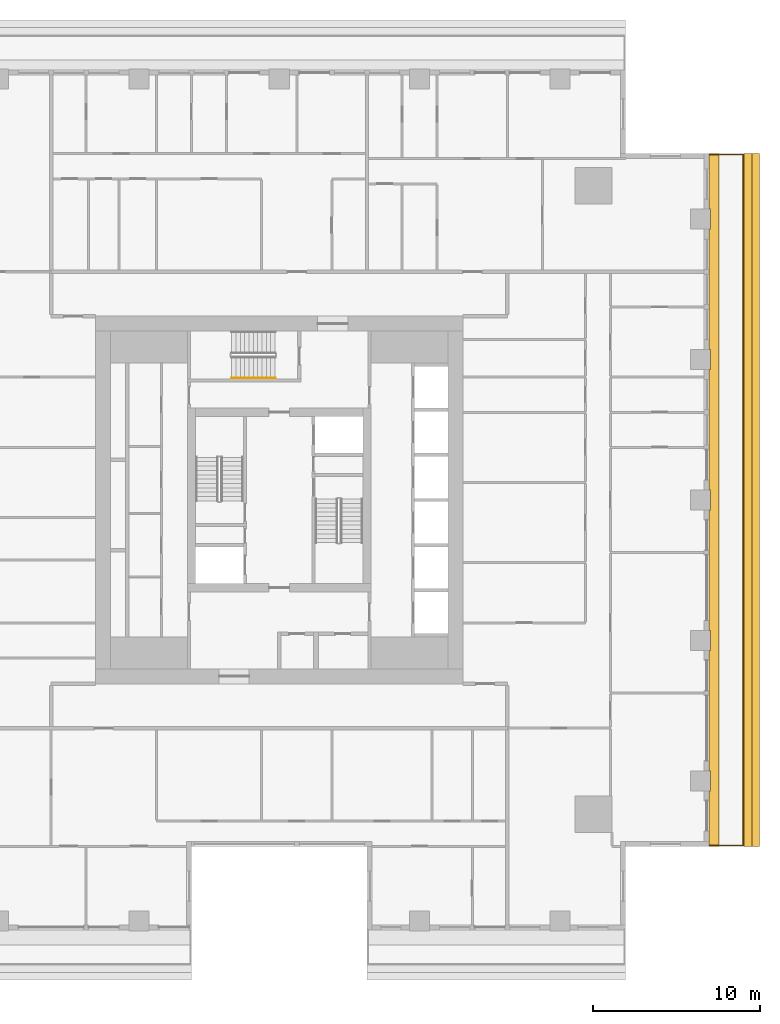
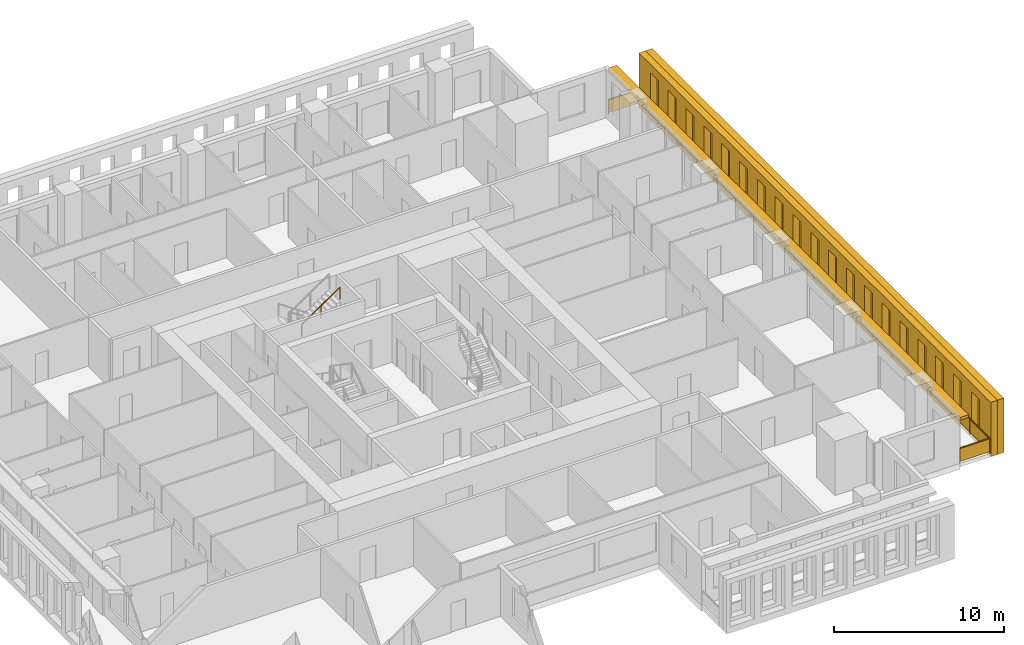
# One storey, part 13 of 15: 3 shading devices, 2 railings.
"""IFC4 building model written with IfcOpenShell, lengths in metres."""

from ifc_helpers import new_model, si_unit, direction, frame, origin, origin_2d, place, context, subcontext, project, spatial, polyline, rectangle, outline, extrude, material, layer, layer_set, type_object, element, save


model = new_model("IFC4")

# Units and contexts
model_context = context("Model", 3, precision=1e-05, world=origin(), true_north=direction((0.0, 1.0)))
body_context = subcontext(model_context, "Body", "Model", "MODEL_VIEW")
ifc_project = project(units=[si_unit("LENGTHUNIT", "METRE"), si_unit("AREAUNIT", "SQUARE_METRE"), si_unit("VOLUMEUNIT", "CUBIC_METRE"), si_unit("PLANEANGLEUNIT", "RADIAN"), si_unit("MASSUNIT", "GRAM", prefix="KILO")], contexts=[model_context])

# Site, building, storey
site_placement = place(None, origin())
site = spatial("IfcSite", under=ifc_project, at=site_placement, CompositionType="ELEMENT")
building_placement = place(site_placement, origin())
building = spatial("IfcBuilding", under=site, at=building_placement, Name="Khepri Terraces", CompositionType="ELEMENT")
storey_placement = place(building_placement, frame((0.0, 0.0, 252.300048828125)))
storey = spatial("IfcBuildingStorey", under=building, at=storey_placement, Name="L60", CompositionType="ELEMENT", Elevation=252.300048828125)

# Railings
ifc_material_1 = material(Name="Stainless steel grade 316", Category="steel")
railing_type_1 = type_object("IfcRailingType", Name="GRD-BAL-1100", PredefinedType="GUARDRAIL", material=ifc_material_1)
railing_1_placement = place(storey_placement, frame((25.719970703125, -20.669921875, 0.0)))
element("IfcRailing", 1, at=railing_1_placement, inside=storey, type_object=railing_type_1, Name="Balcony guard L60 E", PredefinedType="GUARDRAIL", context=body_context, shape_type="SweptSolid", body=[
    extrude(rectangle(XDim=0.050048828125, YDim=0.06005859375, at=origin_2d()), frame((0.0, 0.0, 1.070068359375), z_axis=(1.0, 0.0, 0.0), x_axis=(0.0, 1.0, 0.0)), (0.0, 0.0, 1.0), 2.050048828125),
    extrude(rectangle(XDim=2.0, YDim=0.011962890625, at=origin_2d()), frame((1.02490234375, 0.0, 0.10009765625), z_axis=(0.0, 0.0, 1.0), x_axis=(1.0, 0.0, 0.0)), (0.0, 0.0, 1.0), 0.93994140625),
    extrude(rectangle(XDim=0.050048828125, YDim=0.06005859375, at=origin_2d()), frame((2.050048828125, 0.0, 1.070068359375), z_axis=(0.0, 1.0, 0.0), x_axis=(-1.0, 0.0, 0.0)), (0.0, 0.0, 1.0), 41.33984375),
    extrude(rectangle(XDim=2.24658203125, YDim=0.011962890625, at=origin_2d()), frame((2.050048828125, 1.1484375, 0.10009765625), z_axis=(0.0, 0.0, 1.0), x_axis=(0.0, 1.0, 0.0)), (0.0, 0.0, 1.0), 0.93994140625),
    extrude(rectangle(XDim=2.24658203125, YDim=0.011962890625, at=origin_2d()), frame((2.050048828125, 3.445068359375, 0.10009765625), z_axis=(0.0, 0.0, 1.0), x_axis=(0.0, 1.0, 0.0)), (0.0, 0.0, 1.0), 0.93994140625),
    extrude(rectangle(XDim=2.24658203125, YDim=0.011962890625, at=origin_2d()), frame((2.050048828125, 5.74169921875, 0.10009765625), z_axis=(0.0, 0.0, 1.0), x_axis=(0.0, 1.0, 0.0)), (0.0, 0.0, 1.0), 0.93994140625),
    extrude(rectangle(XDim=2.24658203125, YDim=0.011962890625, at=origin_2d()), frame((2.050048828125, 8.038330078125, 0.10009765625), z_axis=(0.0, 0.0, 1.0), x_axis=(0.0, 1.0, 0.0)), (0.0, 0.0, 1.0), 0.93994140625),
    extrude(rectangle(XDim=2.24658203125, YDim=0.011962890625, at=origin_2d()), frame((2.050048828125, 10.3349609375, 0.10009765625), z_axis=(0.0, 0.0, 1.0), x_axis=(0.0, 1.0, 0.0)), (0.0, 0.0, 1.0), 0.93994140625),
    extrude(rectangle(XDim=2.24658203125, YDim=0.011962890625, at=origin_2d()), frame((2.050048828125, 12.631591796875, 0.10009765625), z_axis=(0.0, 0.0, 1.0), x_axis=(0.0, 1.0, 0.0)), (0.0, 0.0, 1.0), 0.93994140625),
    extrude(rectangle(XDim=2.24658203125, YDim=0.011962890625, at=origin_2d()), frame((2.050048828125, 14.92822265625, 0.10009765625), z_axis=(0.0, 0.0, 1.0), x_axis=(0.0, 1.0, 0.0)), (0.0, 0.0, 1.0), 0.93994140625),
    extrude(rectangle(XDim=2.24658203125, YDim=0.011962890625, at=origin_2d()), frame((2.050048828125, 17.224853515625, 0.10009765625), z_axis=(0.0, 0.0, 1.0), x_axis=(0.0, 1.0, 0.0)), (0.0, 0.0, 1.0), 0.93994140625),
    extrude(rectangle(XDim=2.24658203125, YDim=0.011962890625, at=origin_2d()), frame((2.050048828125, 19.521484375, 0.10009765625), z_axis=(0.0, 0.0, 1.0), x_axis=(0.0, 1.0, 0.0)), (0.0, 0.0, 1.0), 0.93994140625),
    extrude(rectangle(XDim=2.24658203125, YDim=0.011962890625, at=origin_2d()), frame((2.050048828125, 21.818359375, 0.10009765625), z_axis=(0.0, 0.0, 1.0), x_axis=(0.0, 1.0, 0.0)), (0.0, 0.0, 1.0), 0.93994140625),
    extrude(rectangle(XDim=2.24658203125, YDim=0.011962890625, at=origin_2d()), frame((2.050048828125, 24.114990234375, 0.10009765625), z_axis=(0.0, 0.0, 1.0), x_axis=(0.0, 1.0, 0.0)), (0.0, 0.0, 1.0), 0.93994140625),
    extrude(rectangle(XDim=2.24658203125, YDim=0.011962890625, at=origin_2d()), frame((2.050048828125, 26.41162109375, 0.10009765625), z_axis=(0.0, 0.0, 1.0), x_axis=(0.0, 1.0, 0.0)), (0.0, 0.0, 1.0), 0.93994140625),
    extrude(rectangle(XDim=2.24658203125, YDim=0.011962890625, at=origin_2d()), frame((2.050048828125, 28.708251953125, 0.10009765625), z_axis=(0.0, 0.0, 1.0), x_axis=(0.0, 1.0, 0.0)), (0.0, 0.0, 1.0), 0.93994140625),
    extrude(rectangle(XDim=2.24658203125, YDim=0.011962890625, at=origin_2d()), frame((2.050048828125, 31.0048828125, 0.10009765625), z_axis=(0.0, 0.0, 1.0), x_axis=(0.0, 1.0, 0.0)), (0.0, 0.0, 1.0), 0.93994140625),
    extrude(rectangle(XDim=2.24658203125, YDim=0.011962890625, at=origin_2d()), frame((2.050048828125, 33.301513671875, 0.10009765625), z_axis=(0.0, 0.0, 1.0), x_axis=(0.0, 1.0, 0.0)), (0.0, 0.0, 1.0), 0.93994140625),
    extrude(rectangle(XDim=2.24658203125, YDim=0.011962890625, at=origin_2d()), frame((2.050048828125, 35.59814453125, 0.10009765625), z_axis=(0.0, 0.0, 1.0), x_axis=(0.0, 1.0, 0.0)), (0.0, 0.0, 1.0), 0.93994140625),
    extrude(rectangle(XDim=2.24658203125, YDim=0.011962890625, at=origin_2d()), frame((2.050048828125, 37.894775390625, 0.10009765625), z_axis=(0.0, 0.0, 1.0), x_axis=(0.0, 1.0, 0.0)), (0.0, 0.0, 1.0), 0.93994140625),
    extrude(rectangle(XDim=2.24658203125, YDim=0.011962890625, at=origin_2d()), frame((2.050048828125, 40.19140625, 0.10009765625), z_axis=(0.0, 0.0, 1.0), x_axis=(0.0, 1.0, 0.0)), (0.0, 0.0, 1.0), 0.93994140625),
    extrude(rectangle(XDim=0.050048828125, YDim=0.06005859375, at=origin_2d()), frame((2.050048828125, 41.33984375, 1.070068359375), z_axis=(-1.0, 0.0, 0.0), x_axis=(0.0, -1.0, 0.0)), (0.0, 0.0, 1.0), 2.050048828125),
    extrude(rectangle(XDim=2.0, YDim=0.011962890625, at=origin_2d()), frame((1.02490234375, 41.33984375, 0.10009765625), z_axis=(0.0, 0.0, 1.0), x_axis=(-1.0, 0.0, 0.0)), (0.0, 0.0, 1.0), 0.93994140625),
    extrude(rectangle(XDim=0.050048828125, YDim=0.050048828125, at=origin_2d()), origin(), (0.0, 0.0, 1.0), 1.0400390625),
    extrude(rectangle(XDim=0.050048828125, YDim=0.050048828125, at=origin_2d()), frame((2.050048828125, 0.0, 0.0)), (0.0, 0.0, 1.0), 1.0400390625),
    extrude(rectangle(XDim=0.050048828125, YDim=0.050048828125, at=origin_2d()), frame((2.050048828125, 2.296630859375, 0.0)), (0.0, 0.0, 1.0), 1.0400390625),
    extrude(rectangle(XDim=0.050048828125, YDim=0.050048828125, at=origin_2d()), frame((2.050048828125, 4.59326171875, 0.0)), (0.0, 0.0, 1.0), 1.0400390625),
    extrude(rectangle(XDim=0.050048828125, YDim=0.050048828125, at=origin_2d()), frame((2.050048828125, 6.889892578125, 0.0)), (0.0, 0.0, 1.0), 1.0400390625),
    extrude(rectangle(XDim=0.050048828125, YDim=0.050048828125, at=origin_2d()), frame((2.050048828125, 9.1865234375, 0.0)), (0.0, 0.0, 1.0), 1.0400390625),
    extrude(rectangle(XDim=0.050048828125, YDim=0.050048828125, at=origin_2d()), frame((2.050048828125, 11.4833984375, 0.0)), (0.0, 0.0, 1.0), 1.0400390625),
    extrude(rectangle(XDim=0.050048828125, YDim=0.050048828125, at=origin_2d()), frame((2.050048828125, 13.780029296875, 0.0)), (0.0, 0.0, 1.0), 1.0400390625),
    extrude(rectangle(XDim=0.050048828125, YDim=0.050048828125, at=origin_2d()), frame((2.050048828125, 16.07666015625, 0.0)), (0.0, 0.0, 1.0), 1.0400390625),
    extrude(rectangle(XDim=0.050048828125, YDim=0.050048828125, at=origin_2d()), frame((2.050048828125, 18.373291015625, 0.0)), (0.0, 0.0, 1.0), 1.0400390625),
    extrude(rectangle(XDim=0.050048828125, YDim=0.050048828125, at=origin_2d()), frame((2.050048828125, 20.669921875, 0.0)), (0.0, 0.0, 1.0), 1.0400390625),
    extrude(rectangle(XDim=0.050048828125, YDim=0.050048828125, at=origin_2d()), frame((2.050048828125, 22.966552734375, 0.0)), (0.0, 0.0, 1.0), 1.0400390625),
    extrude(rectangle(XDim=0.050048828125, YDim=0.050048828125, at=origin_2d()), frame((2.050048828125, 25.26318359375, 0.0)), (0.0, 0.0, 1.0), 1.0400390625),
    extrude(rectangle(XDim=0.050048828125, YDim=0.050048828125, at=origin_2d()), frame((2.050048828125, 27.559814453125, 0.0)), (0.0, 0.0, 1.0), 1.0400390625),
    extrude(rectangle(XDim=0.050048828125, YDim=0.050048828125, at=origin_2d()), frame((2.050048828125, 29.8564453125, 0.0)), (0.0, 0.0, 1.0), 1.0400390625),
    extrude(rectangle(XDim=0.050048828125, YDim=0.050048828125, at=origin_2d()), frame((2.050048828125, 32.1533203125, 0.0)), (0.0, 0.0, 1.0), 1.0400390625),
    extrude(rectangle(XDim=0.050048828125, YDim=0.050048828125, at=origin_2d()), frame((2.050048828125, 34.449951171875, 0.0)), (0.0, 0.0, 1.0), 1.0400390625),
    extrude(rectangle(XDim=0.050048828125, YDim=0.050048828125, at=origin_2d()), frame((2.050048828125, 36.74658203125, 0.0)), (0.0, 0.0, 1.0), 1.0400390625),
    extrude(rectangle(XDim=0.050048828125, YDim=0.050048828125, at=origin_2d()), frame((2.050048828125, 39.043212890625, 0.0)), (0.0, 0.0, 1.0), 1.0400390625),
    extrude(rectangle(XDim=0.050048828125, YDim=0.050048828125, at=origin_2d()), frame((2.050048828125, 41.33984375, 0.0)), (0.0, 0.0, 1.0), 1.0400390625),
    extrude(rectangle(XDim=0.050048828125, YDim=0.050048828125, at=origin_2d()), frame((0.0, 41.33984375, 0.0)), (0.0, 0.0, 1.0), 1.0400390625),
])
ifc_material_2 = material(Name="Stainless steel 316", Category="steel")
railing_type_2 = type_object("IfcRailingType", Name="RL-CORE-HANDRAIL", PredefinedType="HANDRAIL", material=ifc_material_2)
railing_2_placement = place(storey_placement, frame((-2.85009765625, 7.300048828125, 2.127197265625)))
element("IfcRailing", 2, at=railing_2_placement, inside=storey, type_object=railing_type_2, Name="L60 ST-3 stair handrail 2", PredefinedType="HANDRAIL", context=body_context, shape_type="SweptSolid", body=[
    extrude(rectangle(XDim=0.050048828125, YDim=0.050048828125, at=origin_2d()), frame((0.0, 0.0, 0.875), z_axis=(0.826240473404, 0.0, 0.563317565952), x_axis=(0.0, 1.0, 0.0)), (0.0, 0.0, 1.0), 3.14697265625),
    extrude(rectangle(XDim=0.050048828125, YDim=0.050048828125, at=origin_2d()), origin(), (0.0, 0.0, 1.0), 0.849853515625),
    extrude(rectangle(XDim=0.050048828125, YDim=0.050048828125, at=origin_2d()), frame((1.300048828125, 0.0, 0.88623046875)), (0.0, 0.0, 1.0), 0.849853515625),
    extrude(rectangle(XDim=0.050048828125, YDim=0.050048828125, at=origin_2d()), frame((2.60009765625, 0.0, 1.772705078125)), (0.0, 0.0, 1.0), 0.849853515625),
])

# Shading devices
ifc_material_3 = material(Name="Precast concrete C50/60 warm stone", Category="masonry")
shading_device_type_1 = type_object("IfcShadingDeviceType", Name="SCR-CELL-INNER-450", PredefinedType="USERDEFINED", material=ifc_material_3)
shading_device_1_placement = place(storey_placement, frame((27.820068359375, -20.719970703125, -0.25), z_axis=(1.0, 0.0, 0.0), x_axis=(0.0, 1.0, 0.0)))
element("IfcShadingDevice", 3, at=shading_device_1_placement, inside=storey, type_object=shading_device_type_1, Name="Cell screen L60 E in", ObjectType="SCREEN", PredefinedType="USERDEFINED", context=body_context, shape_type="SweptSolid", body=[
    extrude(outline(polyline([(0.0, 0.0), (41.43994140625, 0.0), (41.43994140625, 3.89990234375), (0.0, 3.89990234375), (0.0, 0.0)]), holes=[polyline([(1.347412109375, 0.699951171875), (2.29248046875, 0.699951171875), (2.29248046875, 3.300048828125), (1.347412109375, 3.300048828125), (1.347412109375, 0.699951171875)]), polyline([(3.447509765625, 0.699951171875), (4.392578125, 0.699951171875), (4.392578125, 3.300048828125), (3.447509765625, 3.300048828125), (3.447509765625, 0.699951171875)]), polyline([(5.547607421875, 0.699951171875), (6.492431640625, 0.699951171875), (6.492431640625, 3.300048828125), (5.547607421875, 3.300048828125), (5.547607421875, 0.699951171875)]), polyline([(7.6474609375, 0.699951171875), (8.592529296875, 0.699951171875), (8.592529296875, 3.300048828125), (7.6474609375, 3.300048828125), (7.6474609375, 0.699951171875)]), polyline([(9.74755859375, 0.699951171875), (10.6923828125, 0.699951171875), (10.6923828125, 3.300048828125), (9.74755859375, 3.300048828125), (9.74755859375, 0.699951171875)]), polyline([(11.847412109375, 0.699951171875), (12.79248046875, 0.699951171875), (12.79248046875, 3.300048828125), (11.847412109375, 3.300048828125), (11.847412109375, 0.699951171875)]), polyline([(13.947509765625, 0.699951171875), (14.892578125, 0.699951171875), (14.892578125, 3.300048828125), (13.947509765625, 3.300048828125), (13.947509765625, 0.699951171875)]), polyline([(16.047607421875, 0.699951171875), (16.992431640625, 0.699951171875), (16.992431640625, 3.300048828125), (16.047607421875, 3.300048828125), (16.047607421875, 0.699951171875)]), polyline([(18.1474609375, 0.699951171875), (19.092529296875, 0.699951171875), (19.092529296875, 3.300048828125), (18.1474609375, 3.300048828125), (18.1474609375, 0.699951171875)]), polyline([(20.24755859375, 0.699951171875), (21.1923828125, 0.699951171875), (21.1923828125, 3.300048828125), (20.24755859375, 3.300048828125), (20.24755859375, 0.699951171875)]), polyline([(22.347412109375, 0.699951171875), (23.29248046875, 0.699951171875), (23.29248046875, 3.300048828125), (22.347412109375, 3.300048828125), (22.347412109375, 0.699951171875)]), polyline([(24.447509765625, 0.699951171875), (25.392578125, 0.699951171875), (25.392578125, 3.300048828125), (24.447509765625, 3.300048828125), (24.447509765625, 0.699951171875)]), polyline([(26.547607421875, 0.699951171875), (27.492431640625, 0.699951171875), (27.492431640625, 3.300048828125), (26.547607421875, 3.300048828125), (26.547607421875, 0.699951171875)]), polyline([(28.6474609375, 0.699951171875), (29.592529296875, 0.699951171875), (29.592529296875, 3.300048828125), (28.6474609375, 3.300048828125), (28.6474609375, 0.699951171875)]), polyline([(30.74755859375, 0.699951171875), (31.6923828125, 0.699951171875), (31.6923828125, 3.300048828125), (30.74755859375, 3.300048828125), (30.74755859375, 0.699951171875)]), polyline([(32.847412109375, 0.699951171875), (33.79248046875, 0.699951171875), (33.79248046875, 3.300048828125), (32.847412109375, 3.300048828125), (32.847412109375, 0.699951171875)]), polyline([(34.947509765625, 0.699951171875), (35.892578125, 0.699951171875), (35.892578125, 3.300048828125), (34.947509765625, 3.300048828125), (34.947509765625, 0.699951171875)]), polyline([(37.047607421875, 0.699951171875), (37.992431640625, 0.699951171875), (37.992431640625, 3.300048828125), (37.047607421875, 3.300048828125), (37.047607421875, 0.699951171875)]), polyline([(39.1474609375, 0.699951171875), (40.092529296875, 0.699951171875), (40.092529296875, 3.300048828125), (39.1474609375, 3.300048828125), (39.1474609375, 0.699951171875)])]), origin(), (0.0, 0.0, 1.0), 0.449951171875),
])
shading_device_type_2 = type_object("IfcShadingDeviceType", Name="SCR-CELL-OUTER-450", PredefinedType="USERDEFINED", material=ifc_material_3)
shading_device_2_placement = place(storey_placement, frame((28.27001953125, -20.719970703125, -0.25), z_axis=(1.0, 0.0, 0.0), x_axis=(0.0, 1.0, 0.0)))
element("IfcShadingDevice", 4, at=shading_device_2_placement, inside=storey, type_object=shading_device_type_2, Name="Cell screen L60 E out", ObjectType="SCREEN", PredefinedType="USERDEFINED", context=body_context, shape_type="SweptSolid", body=[
    extrude(outline(polyline([(0.0, 0.0), (41.43994140625, 0.0), (41.43994140625, 3.89990234375), (0.0, 3.89990234375), (0.0, 0.0)]), holes=[polyline([(0.99755859375, 0.449951171875), (2.642578125, 0.449951171875), (2.642578125, 3.550048828125), (0.99755859375, 3.550048828125), (0.99755859375, 0.449951171875)]), polyline([(3.097412109375, 0.449951171875), (4.742431640625, 0.449951171875), (4.742431640625, 3.550048828125), (3.097412109375, 3.550048828125), (3.097412109375, 0.449951171875)]), polyline([(5.197509765625, 0.449951171875), (6.842529296875, 0.449951171875), (6.842529296875, 3.550048828125), (5.197509765625, 3.550048828125), (5.197509765625, 0.449951171875)]), polyline([(7.297607421875, 0.449951171875), (8.9423828125, 0.449951171875), (8.9423828125, 3.550048828125), (7.297607421875, 3.550048828125), (7.297607421875, 0.449951171875)]), polyline([(9.3974609375, 0.449951171875), (11.04248046875, 0.449951171875), (11.04248046875, 3.550048828125), (9.3974609375, 3.550048828125), (9.3974609375, 0.449951171875)]), polyline([(11.49755859375, 0.449951171875), (13.142578125, 0.449951171875), (13.142578125, 3.550048828125), (11.49755859375, 3.550048828125), (11.49755859375, 0.449951171875)]), polyline([(13.597412109375, 0.449951171875), (15.242431640625, 0.449951171875), (15.242431640625, 3.550048828125), (13.597412109375, 3.550048828125), (13.597412109375, 0.449951171875)]), polyline([(15.697509765625, 0.449951171875), (17.342529296875, 0.449951171875), (17.342529296875, 3.550048828125), (15.697509765625, 3.550048828125), (15.697509765625, 0.449951171875)]), polyline([(17.797607421875, 0.449951171875), (19.4423828125, 0.449951171875), (19.4423828125, 3.550048828125), (17.797607421875, 3.550048828125), (17.797607421875, 0.449951171875)]), polyline([(19.8974609375, 0.449951171875), (21.54248046875, 0.449951171875), (21.54248046875, 3.550048828125), (19.8974609375, 3.550048828125), (19.8974609375, 0.449951171875)]), polyline([(21.99755859375, 0.449951171875), (23.642578125, 0.449951171875), (23.642578125, 3.550048828125), (21.99755859375, 3.550048828125), (21.99755859375, 0.449951171875)]), polyline([(24.097412109375, 0.449951171875), (25.742431640625, 0.449951171875), (25.742431640625, 3.550048828125), (24.097412109375, 3.550048828125), (24.097412109375, 0.449951171875)]), polyline([(26.197509765625, 0.449951171875), (27.842529296875, 0.449951171875), (27.842529296875, 3.550048828125), (26.197509765625, 3.550048828125), (26.197509765625, 0.449951171875)]), polyline([(28.297607421875, 0.449951171875), (29.9423828125, 0.449951171875), (29.9423828125, 3.550048828125), (28.297607421875, 3.550048828125), (28.297607421875, 0.449951171875)]), polyline([(30.3974609375, 0.449951171875), (32.04248046875, 0.449951171875), (32.04248046875, 3.550048828125), (30.3974609375, 3.550048828125), (30.3974609375, 0.449951171875)]), polyline([(32.49755859375, 0.449951171875), (34.142578125, 0.449951171875), (34.142578125, 3.550048828125), (32.49755859375, 3.550048828125), (32.49755859375, 0.449951171875)]), polyline([(34.597412109375, 0.449951171875), (36.242431640625, 0.449951171875), (36.242431640625, 3.550048828125), (34.597412109375, 3.550048828125), (34.597412109375, 0.449951171875)]), polyline([(36.697509765625, 0.449951171875), (38.342529296875, 0.449951171875), (38.342529296875, 3.550048828125), (36.697509765625, 3.550048828125), (36.697509765625, 0.449951171875)]), polyline([(38.797607421875, 0.449951171875), (40.4423828125, 0.449951171875), (40.4423828125, 3.550048828125), (38.797607421875, 3.550048828125), (38.797607421875, 0.449951171875)])]), origin(), (0.0, 0.0, 1.0), 0.449951171875),
])
ifc_layer = layer(ifc_material_3, 0.199951171875, Name="Precast concrete C50/60 warm stone", Category="masonry")
ifc_layer_set = layer_set([ifc_layer], Name="Precast concrete C50/60 warm stone")
shading_device_type_3 = type_object("IfcShadingDeviceType", Name="SSH-BAND-STONE-200-N", PredefinedType="USERDEFINED", material=ifc_layer_set)
shading_device_3_placement = place(storey_placement, frame((0.0, 0.0, 3.099853515625)))
element("IfcShadingDevice", 5, at=shading_device_3_placement, inside=storey, type_object=shading_device_type_3, Name="Sunshade band L60 E", ObjectType="SUNSHADE", PredefinedType="USERDEFINED", context=body_context, shape_type="SweptSolid", body=[
    extrude(outline(polyline([(25.719970703125, -17.39990234375), (25.719970703125, -20.719970703125), (26.320068359375, -20.719970703125), (26.320068359375, 20.719970703125), (25.719970703125, 20.719970703125), (25.719970703125, 17.39990234375), (25.800048828125, 17.39990234375), (25.800048828125, 16.199951171875), (25.719970703125, 16.199951171875), (25.719970703125, 9.0), (25.800048828125, 9.0), (25.800048828125, 7.800048828125), (25.719970703125, 7.800048828125), (25.719970703125, 0.60009765625), (25.800048828125, 0.60009765625), (25.800048828125, -0.60009765625), (25.719970703125, -0.60009765625), (25.719970703125, -7.800048828125), (25.800048828125, -7.800048828125), (25.800048828125, -9.0), (25.719970703125, -9.0), (25.719970703125, -16.199951171875), (25.800048828125, -16.199951171875), (25.800048828125, -17.39990234375), (25.719970703125, -17.39990234375)])), origin(), (0.0, 0.0, 1.0), 0.2001953125),
])

save(model, "model.ifc")
